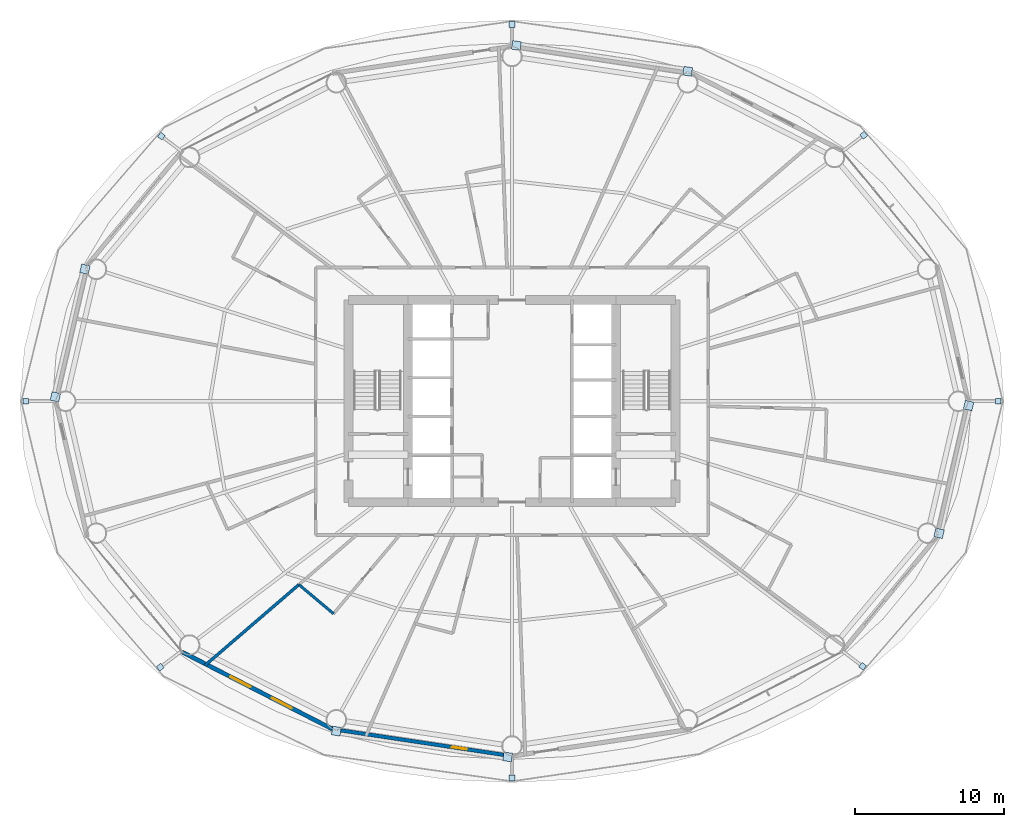
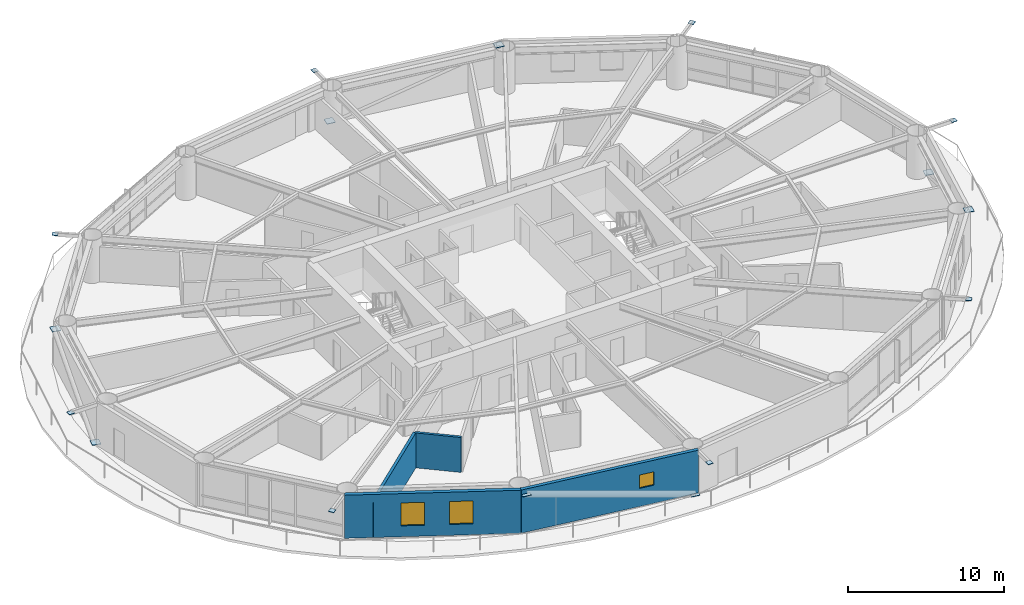
# One storey, part 19 of 26: 16 plates, 4 walls, 3 windows, 3 openings.
"""IFC4 building model written with IfcOpenShell, lengths in metres."""

import ifcopenshell
import ifcopenshell.guid

model = None  # the IFC model being written
_history = None  # IfcOwnerHistory: only IFC2X3 demands one
_inside = {}  # id of a spatial element -> (the spatial element, [elements in it])
_under = {}  # id of a project, library or spatial element -> (it, [spatial elements below it])
_declared = {}  # id of a project -> (the project, [libraries it declares])
_typed = {}  # id of a type object -> (the type object, [elements of that type])
_made_of = {}  # id of a material, layer set ... -> (it, [elements and type objects made of it])


def new_model(schema):
    """Start an empty IFC model of exactly this schema.

    Asked for "IFC4X3", IfcOpenShell would pick the latest addendum, in which some entities
    have other attributes; the version numbers below select the first issue.
    IFC2X3 requires an IfcOwnerHistory on every rooted entity: one is made here for all.
    """
    global model, _history
    if schema == "IFC4X3":
        model = ifcopenshell.file(schema_version=(4, 3, 0, 0))
    else:
        model = ifcopenshell.file(schema=schema)
    _inside.clear()
    _under.clear()
    _declared.clear()
    _typed.clear()
    _made_of.clear()
    _history = None
    if model.schema == "IFC2X3":
        org = make("IfcOrganization", Name="unknown")
        user = make(
            "IfcPersonAndOrganization",
            ThePerson=make("IfcPerson", FamilyName="unknown"),
            TheOrganization=org,
        )
        app = make(
            "IfcApplication",
            ApplicationDeveloper=org,
            Version="unknown",
            ApplicationFullName="unknown",
            ApplicationIdentifier="unknown",
        )
        _history = make(
            "IfcOwnerHistory",
            OwningUser=user,
            OwningApplication=app,
            ChangeAction="ADDED",
            CreationDate=0,
        )
    return model


def make(cls, **values):
    """One entity of the class cls with the attributes given. An attribute that is None is left unset."""
    return model.create_entity(
        cls, **{name: value for name, value in values.items() if value is not None}
    )


def rooted(cls, **values):
    """An entity with a GlobalId (a new one), such as an element, a storey or a relation."""
    return make(cls, GlobalId=ifcopenshell.guid.new(), OwnerHistory=_history, **values)


def si_unit(unit_type, name, prefix=None):
    """IfcSIUnit, for example si_unit("LENGTHUNIT", "METRE", prefix="MILLI")."""
    return make("IfcSIUnit", UnitType=unit_type, Prefix=prefix, Name=name)


def assignment(units):
    """IfcUnitAssignment: the units of a project."""
    return None if units is None else make("IfcUnitAssignment", Units=units)


def point(xyz):
    """IfcCartesianPoint."""
    return None if xyz is None else make("IfcCartesianPoint", Coordinates=xyz)


def direction(xyz):
    """IfcDirection."""
    return None if xyz is None else make("IfcDirection", DirectionRatios=xyz)


def frame(location, z_axis=None, x_axis=None):
    """IfcAxis2Placement3D, a coordinate frame: its origin and axes. An axis left out is left unset."""
    return make(
        "IfcAxis2Placement3D",
        Location=point(location),
        Axis=direction(z_axis),
        RefDirection=direction(x_axis),
    )


def frame_2d(location, x_axis=None):
    """IfcAxis2Placement2D, a coordinate frame in the plane: its origin and x axis."""
    return make(
        "IfcAxis2Placement2D", Location=point(location), RefDirection=direction(x_axis)
    )


def origin():
    """The frame at (0, 0, 0) with its axes left unset."""
    return frame((0.0, 0.0, 0.0))


def origin_2d():
    """The frame at (0, 0) in the plane with its x axis left unset."""
    return frame_2d((0.0, 0.0))


def place(relative_to, where):
    """IfcLocalPlacement: puts the frame where relative to a parent placement (None: the world)."""
    return make(
        "IfcLocalPlacement", PlacementRelTo=relative_to, RelativePlacement=where
    )


def context(
    kind, dimensions, precision=None, world=None, true_north=None, identifier=None
):
    """IfcGeometricRepresentationContext, for example the 3D "Model" context."""
    return make(
        "IfcGeometricRepresentationContext",
        ContextIdentifier=identifier,
        ContextType=kind,
        CoordinateSpaceDimension=dimensions,
        Precision=precision,
        WorldCoordinateSystem=world,
        TrueNorth=true_north,
    )


def subcontext(parent, identifier, kind, view, scale=None):
    """IfcGeometricRepresentationSubContext, for example "Body" below "Model"."""
    return make(
        "IfcGeometricRepresentationSubContext",
        ContextIdentifier=identifier,
        ContextType=kind,
        ParentContext=parent,
        TargetScale=scale,
        TargetView=view,
    )


def project(units=None, contexts=None):
    """IfcProject with its units and contexts."""
    return rooted(
        "IfcProject",
        Name="project",
        RepresentationContexts=contexts,
        UnitsInContext=assignment(units),
    )


def spatial(cls, under=None, at=None, **own):
    """A site, building, storey or space (cls), placed at a placement, below another one or the project."""
    s = rooted(cls, ObjectPlacement=at, **own)
    if under is not None:
        _under.setdefault(under.id(), (under, []))[1].append(s)
    return s


def profile(cls, at=None, kind="AREA", **sizes):
    """A parametric profile (cls). Its sizes go by their IFC names, for example OverallWidth=200.0."""
    return make(cls, ProfileType=kind, Position=at, **sizes)


def rectangle(**sizes):
    """IfcRectangleProfileDef."""
    return profile("IfcRectangleProfileDef", **sizes)


def extrude(swept, where, along, depth):
    """IfcExtrudedAreaSolid: the profile swept, set in the frame where, extruded along a direction by depth."""
    return make(
        "IfcExtrudedAreaSolid",
        SweptArea=swept,
        Position=where,
        ExtrudedDirection=direction(along),
        Depth=depth,
    )


def shape(context_of_items, identifier, shape_type, items):
    """IfcShapeRepresentation: the items that make up one representation, for example the "Body"."""
    return make(
        "IfcShapeRepresentation",
        ContextOfItems=context_of_items,
        RepresentationIdentifier=identifier,
        RepresentationType=shape_type,
        Items=items,
    )


def material(Name=None, Category=None):
    """IfcMaterial."""
    return make("IfcMaterial", Name=Name, Category=Category)


def layer(
    of_material, thickness, ventilated=None, Name=None, Category=None, Priority=None
):
    """IfcMaterialLayer: one layer of a wall or slab, of a material (None: an air gap)."""
    return make(
        "IfcMaterialLayer",
        Material=of_material,
        LayerThickness=thickness,
        IsVentilated=ventilated,
        Name=Name,
        Category=Category,
        Priority=Priority,
    )


def layer_set(layers, Name=None):
    """IfcMaterialLayerSet."""
    return make("IfcMaterialLayerSet", MaterialLayers=layers, LayerSetName=Name)


def made_of(thing, what):
    """Note that an element or type object is made of a material, layer set ...; save() writes the relation."""
    if what is not None:
        _made_of.setdefault(what.id(), (what, []))[1].append(thing)
    return thing


def type_object(cls, material=None, **own):
    """A type object (cls), such as IfcWallType, which elements share."""
    return made_of(rooted(cls, **own), material)


def element(
    cls,
    number,
    at=None,
    inside=None,
    cuts=None,
    type_object=None,
    material=None,
    context=None,
    identifier="Body",
    shape_type=None,
    held_by="IfcProductDefinitionShape",
    body=None,
    shapes=None,
    **own,
):
    """One element of the class cls, such as IfcWall. Its Tag is "e" and its number.

    at: its placement. inside: the storey or other place that contains it. cuts: it is an
    opening in that element (IfcRelVoidsElement). A single representation is given by context,
    identifier, shape_type and body (its items); several are given by shapes. held_by: the class
    of the entity that holds the representations. save() writes the other relations.
    """
    e = rooted(cls, Tag="e%d" % number, ObjectPlacement=at, **own)
    if body is not None:
        shapes = [shape(context, identifier, shape_type, body)]
    if shapes is not None:
        e.Representation = make(held_by, Representations=shapes)
    if inside is not None:
        _inside.setdefault(inside.id(), (inside, []))[1].append(e)
    if cuts is not None:
        rooted(
            "IfcRelVoidsElement", RelatingBuildingElement=cuts, RelatedOpeningElement=e
        )
    if type_object is not None:
        _typed.setdefault(type_object.id(), (type_object, []))[1].append(e)
    return made_of(e, material)


def fill(opening, filler):
    """IfcRelFillsElement: the door or window that sits in an opening."""
    return rooted(
        "IfcRelFillsElement",
        RelatingOpeningElement=opening,
        RelatedBuildingElement=filler,
    )


def aggregate(whole, parts):
    """IfcRelAggregates: a whole, such as a stair, and the parts it consists of."""
    return rooted("IfcRelAggregates", RelatingObject=whole, RelatedObjects=parts)


def save(model, path):
    """Write the relations noted so far, then the file.

    IfcRelAggregates (storeys below a building ...), IfcRelContainedInSpatialStructure (elements
    in a storey), IfcRelDefinesByType, IfcRelAssociatesMaterial and IfcRelDeclares: one each for
    every whole, place, type object, material and project.
    """
    for whole, parts in _under.values():
        aggregate(whole, parts)
    for where, things in _inside.values():
        rooted(
            "IfcRelContainedInSpatialStructure",
            RelatedElements=things,
            RelatingStructure=where,
        )
    for kind, things in _typed.values():
        rooted("IfcRelDefinesByType", RelatedObjects=things, RelatingType=kind)
    for what, things in _made_of.values():
        rooted("IfcRelAssociatesMaterial", RelatedObjects=things, RelatingMaterial=what)
    for by, libraries in _declared.values():
        rooted("IfcRelDeclares", RelatingContext=by, RelatedDefinitions=libraries)
    model.write(path)


model = new_model("IFC4")

# Units and contexts
model_context = context("Model", 3, precision=1e-05, world=origin(), true_north=direction((0.0, 1.0)))
body_context = subcontext(model_context, "Body", "Model", "MODEL_VIEW")
ifc_project = project(units=[si_unit("LENGTHUNIT", "METRE"), si_unit("AREAUNIT", "SQUARE_METRE"), si_unit("VOLUMEUNIT", "CUBIC_METRE"), si_unit("PLANEANGLEUNIT", "RADIAN"), si_unit("MASSUNIT", "GRAM", prefix="KILO")], contexts=[model_context])

# Site, building, storey
site_placement = place(None, origin())
site = spatial("IfcSite", under=ifc_project, at=site_placement, CompositionType="ELEMENT")
building_placement = place(site_placement, origin())
building = spatial("IfcBuilding", under=site, at=building_placement, Name="Sarneth Arch Tower", CompositionType="ELEMENT")
storey_placement = place(building_placement, frame((0.0, 0.0, 42.60009765625)))
storey = spatial("IfcBuildingStorey", under=building, at=storey_placement, Name="L09", CompositionType="ELEMENT", Elevation=42.60009765625)

# Plates
ifc_material_1 = material(Name="Steel S355", Category="steel")
ifc_layer_1 = layer(ifc_material_1, 0.035888671875)
ifc_layer_set_1 = layer_set([ifc_layer_1], Name="Steel S355")
plate_type = type_object("IfcPlateType", Name="PLT-GUSSET-30", PredefinedType="SHEET", material=ifc_layer_set_1)
for number, where, z_axis, x_axis, name in (
    (1, (80.730712890625, 42.0, 3.2021484375), (0.0, 0.0, 1.0), (1.0, 0.0, 0.0), "Steel end cap plate GP-1"),
    (2, (71.6689453125, 59.896240234375, 3.2021484375), (0.0, 0.0, 1.0), (0.797689196331, 0.603068773902, 0.0), "Steel end cap plate GP-1"),
):
    element("IfcPlate", number, at=place(storey_placement, frame(where, z_axis=z_axis, x_axis=x_axis)), inside=storey, type_object=plate_type, Name=name, PredefinedType="SHEET", context=body_context, shape_type="SweptSolid", body=[
        extrude(rectangle(XDim=0.3798828125, YDim=0.3798828125, at=origin_2d()), origin(), (0.0, 0.0, 1.0), 0.035888671875),
    ])
for number, where, z_axis, x_axis, name in (
    (3, (48.296630859375, 65.935302734375, 0.001953125), (0.0, 0.0, 1.0), (-0.98883454203, 0.149017611339, 0.0), "Steel end cap plate GP-1"),
    (4, (59.819580078125, 64.19921875, 2.98876953125), (0.0, 0.0, 1.0), (-0.98883454203, 0.149017611339, 0.0), "Steel end cap plate GP-1"),
):
    element("IfcPlate", number, at=place(storey_placement, frame(where, z_axis=z_axis, x_axis=x_axis)), inside=storey, type_object=plate_type, Name=name, PredefinedType="SHEET", context=body_context, shape_type="SweptSolid", body=[
        extrude(rectangle(XDim=0.587890625, YDim=0.587890625, at=origin_2d()), origin(), (0.0, 0.0, 1.0), 0.035888671875),
    ])
for number, where, z_axis, x_axis, name in (
    (5, (48.0, 67.354248046875, 3.2021484375), (0.0, 0.0, 1.0), (0.0, 1.0, 0.0), "Steel end cap plate GP-1"),
    (6, (24.4072265625, 59.838623046875, 3.2021484375), (0.0, 0.0, 1.0), (-0.797689196331, 0.603068773902, 0.0), "Steel end cap plate GP-1"),
):
    element("IfcPlate", number, at=place(storey_placement, frame(where, z_axis=z_axis, x_axis=x_axis)), inside=storey, type_object=plate_type, Name=name, PredefinedType="SHEET", context=body_context, shape_type="SweptSolid", body=[
        extrude(rectangle(XDim=0.3798828125, YDim=0.3798828125, at=origin_2d()), origin(), (0.0, 0.0, 1.0), 0.035888671875),
    ])
for number, where, z_axis, x_axis, name in (
    (7, (17.274658203125, 42.292236328125, 0.001953125), (0.0, 0.0, 1.0), (-0.225291159947, -0.974291482694, 0.0), "Steel end cap plate GP-1"),
    (8, (19.260986328125, 50.884521484375, 2.98876953125), (0.0, 0.0, 1.0), (-0.225291159947, -0.974291482694, 0.0), "Steel end cap plate GP-1"),
):
    element("IfcPlate", number, at=place(storey_placement, frame(where, z_axis=z_axis, x_axis=x_axis)), inside=storey, type_object=plate_type, Name=name, PredefinedType="SHEET", context=body_context, shape_type="SweptSolid", body=[
        extrude(rectangle(XDim=0.587890625, YDim=0.587890625, at=origin_2d()), origin(), (0.0, 0.0, 1.0), 0.035888671875),
    ])
for number, where, z_axis, x_axis, name in (
    (9, (15.269287109375, 42.0, 3.2021484375), (0.0, 0.0, 1.0), (-1.0, 0.0, 0.0), "Steel end cap plate GP-1"),
    (10, (24.3310546875, 24.103759765625, 3.2021484375), (0.0, 0.0, 1.0), (-0.797689196331, -0.603068773902, 0.0), "Steel end cap plate GP-1"),
):
    element("IfcPlate", number, at=place(storey_placement, frame(where, z_axis=z_axis, x_axis=x_axis)), inside=storey, type_object=plate_type, Name=name, PredefinedType="SHEET", context=body_context, shape_type="SweptSolid", body=[
        extrude(rectangle(XDim=0.3798828125, YDim=0.3798828125, at=origin_2d()), origin(), (0.0, 0.0, 1.0), 0.035888671875),
    ])
for number, where, z_axis, x_axis, name in (
    (11, (47.703369140625, 18.064697265625, 0.001953125), (0.0, 0.0, 1.0), (0.98883454203, -0.149017611339, 0.0), "Steel end cap plate GP-1"),
    (12, (36.180419921875, 19.80078125, 2.98876953125), (0.0, 0.0, 1.0), (0.98883454203, -0.149017611339, 0.0), "Steel end cap plate GP-1"),
):
    element("IfcPlate", number, at=place(storey_placement, frame(where, z_axis=z_axis, x_axis=x_axis)), inside=storey, type_object=plate_type, Name=name, PredefinedType="SHEET", context=body_context, shape_type="SweptSolid", body=[
        extrude(rectangle(XDim=0.587890625, YDim=0.587890625, at=origin_2d()), origin(), (0.0, 0.0, 1.0), 0.035888671875),
    ])
for number, where, z_axis, x_axis, name in (
    (13, (48.0, 16.645751953125, 3.2021484375), (0.0, 0.0, 1.0), (0.0, -1.0, 0.0), "Steel end cap plate GP-1"),
    (14, (71.5927734375, 24.161376953125, 3.2021484375), (0.0, 0.0, 1.0), (0.797689196331, -0.603068773902, 0.0), "Steel end cap plate GP-1"),
):
    element("IfcPlate", number, at=place(storey_placement, frame(where, z_axis=z_axis, x_axis=x_axis)), inside=storey, type_object=plate_type, Name=name, PredefinedType="SHEET", context=body_context, shape_type="SweptSolid", body=[
        extrude(rectangle(XDim=0.3798828125, YDim=0.3798828125, at=origin_2d()), origin(), (0.0, 0.0, 1.0), 0.035888671875),
    ])
for number, where, z_axis, x_axis, name in (
    (15, (78.725341796875, 41.707763671875, 0.001953125), (0.0, 0.0, 1.0), (0.225291159947, 0.974291482694, 0.0), "Steel end cap plate GP-1"),
    (16, (76.739013671875, 33.115478515625, 2.98876953125), (0.0, 0.0, 1.0), (0.225291159947, 0.974291482694, 0.0), "Steel end cap plate GP-1"),
):
    element("IfcPlate", number, at=place(storey_placement, frame(where, z_axis=z_axis, x_axis=x_axis)), inside=storey, type_object=plate_type, Name=name, PredefinedType="SHEET", context=body_context, shape_type="SweptSolid", body=[
        extrude(rectangle(XDim=0.587890625, YDim=0.587890625, at=origin_2d()), origin(), (0.0, 0.0, 1.0), 0.035888671875),
    ])

# Wall, opening, window
ifc_material_2 = material(Name="Extruded terracotta rainscreen on Concrete C40/50 backing", Category="masonry")
ifc_layer_2 = layer(ifc_material_2, 0.25)
ifc_layer_set_2 = layer_set([ifc_layer_2], Name="Extruded terracotta rainscreen on Concrete C40/50 backing")
wall_type_1 = type_object("IfcWallType", Name="WALL-EXT-SPAND-250", PredefinedType="SOLIDWALL", material=ifc_layer_set_2)
wall_1_placement = place(storey_placement, frame((35.922119140625, 19.937744140625, 0.0), z_axis=(0.0, 0.0, 1.0), x_axis=(0.988864835849, -0.148816452121, 0.0)))
wall_1 = element("IfcWall", 17, at=wall_1_placement, inside=storey, type_object=wall_type_1, Name="L09 Terracotta perimeter wall 12", PredefinedType="SOLIDWALL", context=body_context, shape_type="SweptSolid", body=[
    extrude(rectangle(XDim=12.2138671875, YDim=0.25, at=frame_2d((6.10693359375, 0.0))), origin(), (0.0, 0.0, 1.0), 3.3798828125),
])
opening_1_placement = place(wall_1_placement, frame((8.133544921875, 0.0, 1.419921875)))
opening_1 = element("IfcOpeningElement", 18, at=opening_1_placement, cuts=wall_1, Name="Opening W-14", PredefinedType="OPENING", context=body_context, shape_type="SweptSolid", body=[
    extrude(rectangle(XDim=1.0, YDim=1.050048828125, at=frame_2d((0.5, 0.52490234375))), frame((0.0, 0.135009765625, 0.0), z_axis=(0.0, -1.0, 0.0), x_axis=(1.0, 0.0, 0.0)), (0.0, 0.0, 1.0), 0.27001953125),
])
ifc_material_3 = material(Name="Thermally broken Aluminium 6063-T6 and low-e laminated IGU", Category="aluminium")
window_type_1 = type_object("IfcWindowType", Name="WIN-TWR-1000x1050", PartitioningType="SINGLE_PANEL", PredefinedType="WINDOW", material=ifc_material_3)
window_1_placement = place(opening_1_placement, origin())
window_1 = element("IfcWindow", 19, at=window_1_placement, inside=storey, type_object=window_type_1, Name="L09 Dwelling bedroom window 01", OverallHeight=1.050048828125, OverallWidth=1.0, PartitioningType="SINGLE_PANEL", PredefinedType="WINDOW", context=body_context, shape_type="SweptSolid", body=[
    extrude(rectangle(XDim=1.0, YDim=1.050048828125, at=frame_2d((0.5, 0.52490234375))), frame((0.0, 0.030029296875, 0.0), z_axis=(0.0, -1.0, 0.0), x_axis=(1.0, 0.0, 0.0)), (0.0, 0.0, 1.0), 0.06005859375),
])
fill(opening_1, window_1)

# Wall, openings, windows
ifc_material_4 = material(Name="Extruded terracotta rainscreen on Concrete C40/50 backing", Category="masonry")
ifc_layer_3 = layer(ifc_material_4, 0.280029296875)
ifc_layer_set_3 = layer_set([ifc_layer_3], Name="Extruded terracotta rainscreen on Concrete C40/50 backing")
wall_type_2 = type_object("IfcWallType", Name="WALL-EXT-TERRA-280", PredefinedType="SOLIDWALL", material=ifc_layer_set_3)
wall_2_placement = place(storey_placement, frame((25.825927734375, 25.1142578125, 0.0), z_axis=(0.0, 0.0, 1.0), x_axis=(0.889853976658, -0.456245438581, 0.0)))
wall_2 = element("IfcWall", 20, at=wall_2_placement, inside=storey, type_object=wall_type_2, Name="L09 Terracotta perimeter wall 11", PredefinedType="SOLIDWALL", context=body_context, shape_type="SweptSolid", body=[
    extrude(rectangle(XDim=11.345947265625, YDim=0.280029296875, at=frame_2d((5.6728515625, 0.0))), origin(), (0.0, 0.0, 1.0), 3.3798828125),
])
opening_2_placement = place(wall_2_placement, frame((3.6318359375, 0.0, 0.85009765625)))
opening_2 = element("IfcOpeningElement", 21, at=opening_2_placement, cuts=wall_2, Name="Opening W-07", PredefinedType="OPENING", context=body_context, shape_type="SweptSolid", body=[
    extrude(rectangle(XDim=1.5, YDim=1.800048828125, at=frame_2d((0.75, 0.89990234375))), frame((0.0, 0.14990234375, 0.0), z_axis=(0.0, -1.0, 0.0), x_axis=(1.0, 0.0, 0.0)), (0.0, 0.0, 1.0), 0.300048828125),
])
opening_3_placement = place(wall_2_placement, frame((6.76123046875, 0.0, 0.85009765625)))
opening_3 = element("IfcOpeningElement", 22, at=opening_3_placement, cuts=wall_2, Name="Opening W-07", PredefinedType="OPENING", context=body_context, shape_type="SweptSolid", body=[
    extrude(rectangle(XDim=1.5, YDim=1.800048828125, at=frame_2d((0.75, 0.89990234375))), frame((0.0, 0.14990234375, 0.0), z_axis=(0.0, -1.0, 0.0), x_axis=(1.0, 0.0, 0.0)), (0.0, 0.0, 1.0), 0.300048828125),
])
ifc_material_5 = material(Name="Thermally broken Aluminium 6063-T6 and low-e laminated IGU", Category="aluminium")
window_type_2 = type_object("IfcWindowType", Name="WIN-TWR-1500x1800", PartitioningType="SINGLE_PANEL", PredefinedType="WINDOW", material=ifc_material_5)
window_2_placement = place(opening_2_placement, origin())
window_2 = element("IfcWindow", 23, at=window_2_placement, inside=storey, type_object=window_type_2, Name="L09 Exterior window 11A", OverallHeight=1.800048828125, OverallWidth=1.5, PartitioningType="SINGLE_PANEL", PredefinedType="WINDOW", context=body_context, shape_type="SweptSolid", body=[
    extrude(rectangle(XDim=1.5, YDim=1.800048828125, at=frame_2d((0.75, 0.89990234375))), frame((0.0, 0.030029296875, 0.0), z_axis=(0.0, -1.0, 0.0), x_axis=(1.0, 0.0, 0.0)), (0.0, 0.0, 1.0), 0.06005859375),
])
fill(opening_2, window_2)
window_3_placement = place(opening_3_placement, origin())
window_3 = element("IfcWindow", 24, at=window_3_placement, inside=storey, type_object=window_type_2, Name="L09 Exterior window 11B", OverallHeight=1.800048828125, OverallWidth=1.5, PartitioningType="SINGLE_PANEL", PredefinedType="WINDOW", context=body_context, shape_type="SweptSolid", body=[
    extrude(rectangle(XDim=1.5, YDim=1.800048828125, at=frame_2d((0.75, 0.89990234375))), frame((0.0, 0.030029296875, 0.0), z_axis=(0.0, -1.0, 0.0), x_axis=(1.0, 0.0, 0.0)), (0.0, 0.0, 1.0), 0.06005859375),
])
fill(opening_3, window_3)

# Walls
ifc_material_6 = material(Name="Moisture-resistant plumbing chase wall", Category="gypsum")
ifc_layer_4 = layer(ifc_material_6, 0.179931640625)
ifc_layer_set_4 = layer_set([ifc_layer_4], Name="Moisture-resistant plumbing chase wall")
wall_type_3 = type_object("IfcWallType", Name="WALL-PLUMB-180", PredefinedType="PLUMBINGWALL", material=ifc_layer_set_4)
wall_3_placement = place(storey_placement, frame((35.99169921875, 27.703369140625, 0.0), z_axis=(0.0, 0.0, 1.0), x_axis=(-0.765736471754, 0.643154457208, 0.0)))
element("IfcWall", 25, at=wall_3_placement, inside=storey, type_object=wall_type_3, Name="L09 Interior partition W-L09-TP-059", PredefinedType="PLUMBINGWALL", context=body_context, shape_type="SweptSolid", body=[
    extrude(rectangle(XDim=3.043212890625, YDim=0.179931640625, at=frame_2d((1.521484375, 0.0))), origin(), (0.0, 0.0, 1.0), 2.739990234375),
])
ifc_material_7 = material(Name="Double steel-stud acoustic drywall", Category="steel")
ifc_layer_5 = layer(ifc_material_7, 0.199951171875)
ifc_layer_set_5 = layer_set([ifc_layer_5], Name="Double steel-stud acoustic drywall")
wall_type_4 = type_object("IfcWallType", Name="WALL-UNIT-200", PredefinedType="PARTITIONING", material=ifc_layer_set_5)
wall_4_placement = place(storey_placement, frame((27.33447265625, 24.2158203125, 0.0), z_axis=(0.0, 0.0, 1.0), x_axis=(0.757966817992, 0.652293111127, 0.0)))
element("IfcWall", 26, at=wall_4_placement, inside=storey, type_object=wall_type_4, Name="L09 Interior partition W-L09-TP-056", PredefinedType="PARTITIONING", context=body_context, shape_type="SweptSolid", body=[
    extrude(rectangle(XDim=8.34716796875, YDim=0.199951171875, at=frame_2d((4.173583984375, 0.0))), origin(), (0.0, 0.0, 1.0), 2.739990234375),
])

save(model, "model.ifc")
